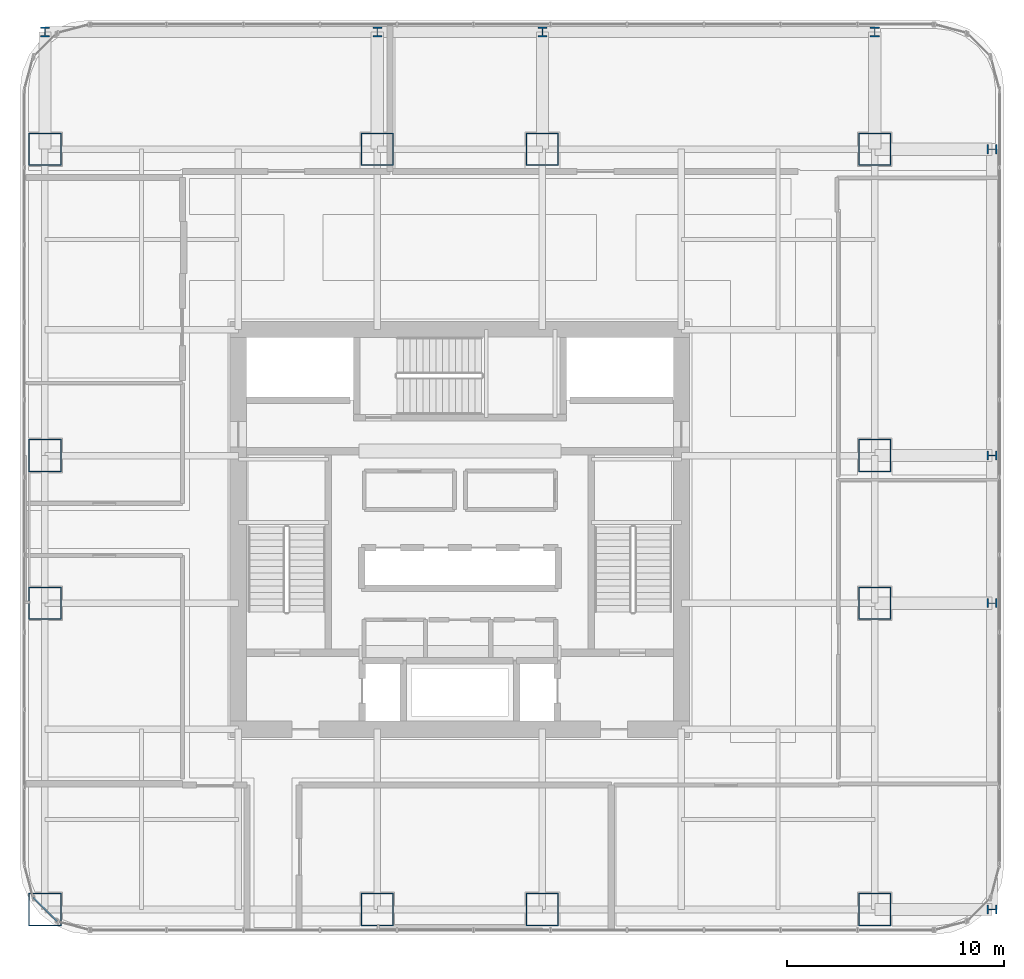
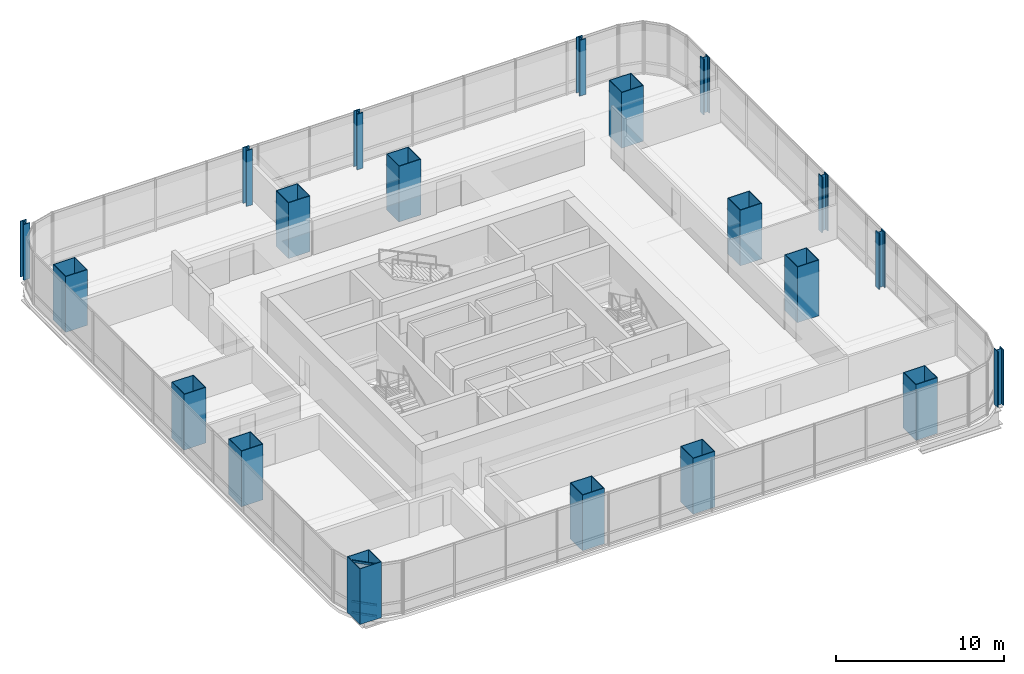
# One storey, part 1 of 34: 20 columns, 3 members, 1 element without a shape of its own.
"""IFC4 building model written with IfcOpenShell, lengths in metres."""

from ifc_helpers import new_model, si_unit, direction, frame, origin, origin_2d, place, context, subcontext, project, spatial, hollow_rectangle, i_section, extrude, material, material_profile, profile_set, type_object, element, aggregate, save


model = new_model("IFC4")

# Units and contexts
model_context = context("Model", 3, precision=1e-05, world=origin(), true_north=direction((0.0, 1.0)))
body_context = subcontext(model_context, "Body", "Model", "MODEL_VIEW")
ifc_project = project(units=[si_unit("LENGTHUNIT", "METRE"), si_unit("AREAUNIT", "SQUARE_METRE"), si_unit("VOLUMEUNIT", "CUBIC_METRE"), si_unit("PLANEANGLEUNIT", "RADIAN"), si_unit("MASSUNIT", "GRAM", prefix="KILO")], contexts=[model_context])

# Site, building, storey
site_placement = place(None, origin())
site = spatial("IfcSite", under=ifc_project, at=site_placement, CompositionType="ELEMENT")
building_placement = place(site_placement, origin())
building = spatial("IfcBuilding", under=site, at=building_placement, Name="Punatoya Terracotta Tower", CompositionType="ELEMENT")
storey_placement = place(building_placement, frame((0.0, 0.0, 105.14990234375)))
storey = spatial("IfcBuildingStorey", under=building, at=storey_placement, Name="L24", CompositionType="ELEMENT", Elevation=105.14990234375)

# Columns
ifc_material_1 = material(Name="Steel S460", Category="steel")
ifc_material_profile_1 = material_profile(ifc_material_1, i_section(OverallWidth=0.416015625, OverallDepth=0.446044921875, WebThickness=0.0390625, FlangeThickness=0.06201171875, FilletRadius=0.01806640625, at=origin_2d()))
ifc_profile_set_1 = profile_set([ifc_material_profile_1], Name="Steel S460")
column_type_1 = type_object("IfcColumnType", Name="COL-EX-M1", PredefinedType="COLUMN", material=ifc_profile_set_1)
for number, where, z_axis, x_axis, name in (
    (1, (-19.10009765625, 22.89990234375, 0.0), (0.0, 0.0, 1.0), (1.0, 0.0, 0.0), "L24 Exoskeleton Perimeter Column N1"),
    (2, (-3.800048828125, 22.89990234375, 0.0), (0.0, 0.0, 1.0), (1.0, 0.0, 0.0), "L24 Exoskeleton Perimeter Column N2"),
    (3, (3.800048828125, 22.89990234375, 0.0), (0.0, 0.0, 1.0), (1.0, 0.0, 0.0), "L24 Exoskeleton Perimeter Column N3"),
    (4, (19.10009765625, 22.89990234375, 0.0), (0.0, 0.0, 1.0), (1.0, 0.0, 0.0), "L24 Exoskeleton Perimeter Column N4"),
    (5, (24.5, -17.5, 0.0), (0.0, 0.0, 1.0), (0.0, 1.0, 0.0), "L24 Exoskeleton Perimeter Column E1"),
    (6, (24.5, -3.39990234375, 0.0), (0.0, 0.0, 1.0), (0.0, 1.0, 0.0), "L24 Exoskeleton Perimeter Column E2"),
    (7, (24.5, 3.39990234375, 0.0), (0.0, 0.0, 1.0), (0.0, 1.0, 0.0), "L24 Exoskeleton Perimeter Column E3"),
    (8, (24.5, 17.5, 0.0), (0.0, 0.0, 1.0), (0.0, 1.0, 0.0), "L24 Exoskeleton Perimeter Column E4"),
):
    element("IfcColumn", number, at=place(storey_placement, frame(where, z_axis=z_axis, x_axis=x_axis)), inside=storey, type_object=column_type_1, Name=name, PredefinedType="COLUMN", context=body_context, shape_type="SweptSolid", body=[
        extrude(i_section(OverallWidth=0.416015625, OverallDepth=0.446044921875, WebThickness=0.0390625, FlangeThickness=0.06201171875, FilletRadius=0.01806640625, at=origin_2d()), origin(), (0.0, 0.0, 1.0), 4.048095703125),
    ])
ifc_material_profile_2 = material_profile(ifc_material_1, hollow_rectangle(XDim=1.5, YDim=1.5, WallThickness=0.044921875, at=origin_2d()))
ifc_profile_set_2 = profile_set([ifc_material_profile_2], Name="Steel S460")
column_type_2 = type_object("IfcColumnType", Name="COL-MC-Z1", PredefinedType="COLUMN", material=ifc_profile_set_2)
for number, where, z_axis, x_axis, name in (
    (9, (-19.10009765625, -17.5, 0.0), (0.0, 0.0, 1.0), (1.0, 0.0, 0.0), "L24 Composite Mega-Column MC-01 (3-B)"),
    (10, (-3.800048828125, -17.5, 0.0), (0.0, 0.0, 1.0), (1.0, 0.0, 0.0), "L24 Composite Mega-Column MC-02 (5-B)"),
    (11, (3.800048828125, -17.5, 0.0), (0.0, 0.0, 1.0), (1.0, 0.0, 0.0), "L24 Composite Mega-Column MC-03 (7-B)"),
    (12, (19.10009765625, -17.5, 0.0), (0.0, 0.0, 1.0), (1.0, 0.0, 0.0), "L24 Composite Mega-Column MC-04 (9-B)"),
    (13, (19.10009765625, -3.39990234375, 0.0), (0.0, 0.0, 1.0), (1.0, 0.0, 0.0), "L24 Composite Mega-Column MC-05 (9-D)"),
    (14, (19.10009765625, 3.39990234375, 0.0), (0.0, 0.0, 1.0), (1.0, 0.0, 0.0), "L24 Composite Mega-Column MC-06 (9-E)"),
    (15, (19.10009765625, 17.5, 0.0), (0.0, 0.0, 1.0), (1.0, 0.0, 0.0), "L24 Composite Mega-Column MC-07 (9-G)"),
    (16, (3.800048828125, 17.5, 0.0), (0.0, 0.0, 1.0), (1.0, 0.0, 0.0), "L24 Composite Mega-Column MC-08 (7-G)"),
    (17, (-3.800048828125, 17.5, 0.0), (0.0, 0.0, 1.0), (1.0, 0.0, 0.0), "L24 Composite Mega-Column MC-09 (5-G)"),
    (18, (-19.10009765625, 17.5, 0.0), (0.0, 0.0, 1.0), (1.0, 0.0, 0.0), "L24 Composite Mega-Column MC-10 (3-G)"),
    (19, (-19.10009765625, 3.39990234375, 0.0), (0.0, 0.0, 1.0), (1.0, 0.0, 0.0), "L24 Composite Mega-Column MC-11 (3-E)"),
    (20, (-19.10009765625, -3.39990234375, 0.0), (0.0, 0.0, 1.0), (1.0, 0.0, 0.0), "L24 Composite Mega-Column MC-12 (3-D)"),
):
    element("IfcColumn", number, at=place(storey_placement, frame(where, z_axis=z_axis, x_axis=x_axis)), inside=storey, type_object=column_type_2, Name=name, PredefinedType="COLUMN", context=body_context, shape_type="SweptSolid", body=[
        extrude(hollow_rectangle(XDim=1.5, YDim=1.5, WallThickness=0.044921875, at=origin_2d()), origin(), (0.0, 0.0, 1.0), 4.050048828125),
    ])

# Curtain wall, members
ifc_material_2 = material(Name="Aluminium 6063-T6 + Double Low-E Glass", Category="aluminium")
curtain_wall_type = type_object("IfcCurtainWallType", Name="CW-M1", PredefinedType="NOTDEFINED", material=ifc_material_2)
curtain_wall_placement = place(storey_placement, origin())
curtain_wall = element("IfcCurtainWall", 21, at=curtain_wall_placement, inside=storey, type_object=curtain_wall_type, Name="L24 Curtain Wall CW-L24-CRN15", PredefinedType="NOTDEFINED")
ifc_material_3 = material(Name="Aluminium 6063-T6", Category="aluminium")
ifc_material_profile_3 = material_profile(ifc_material_3, hollow_rectangle(XDim=0.068115234375, YDim=0.14990234375, WallThickness=0.00390625, at=origin_2d()))
ifc_profile_set_3 = profile_set([ifc_material_profile_3], Name="Aluminium 6063-T6")
member_type = type_object("IfcMemberType", Name="CW-TRN-TYP", PredefinedType="USERDEFINED", material=ifc_profile_set_3)
member_1_placement = place(storey_placement, frame((-19.646484375, -16.94921875, 0.0400390625), z_axis=(0.707106781187, -0.707106781187, 0.0), x_axis=(0.707106781187, 0.707106781187, 0.0)))
member_1 = element("IfcMember", 22, at=member_1_placement, type_object=member_type, Name="CW-L24-CRN15 Transom 1", ObjectType="TRANSOM", PredefinedType="USERDEFINED", context=body_context, shape_type="SweptSolid", body=[
    extrude(hollow_rectangle(XDim=0.068115234375, YDim=0.14990234375, WallThickness=0.00390625, at=origin_2d()), origin(), (0.0, 0.0, 1.0), 1.552001953125),
])
member_2_placement = place(storey_placement, frame((-19.646484375, -16.94921875, 0.85009765625), z_axis=(0.707106781187, -0.707106781187, 0.0), x_axis=(0.707106781187, 0.707106781187, 0.0)))
member_2 = element("IfcMember", 23, at=member_2_placement, type_object=member_type, Name="CW-L24-CRN15 Transom 2", ObjectType="TRANSOM", PredefinedType="USERDEFINED", context=body_context, shape_type="SweptSolid", body=[
    extrude(hollow_rectangle(XDim=0.068115234375, YDim=0.14990234375, WallThickness=0.00390625, at=origin_2d()), origin(), (0.0, 0.0, 1.0), 1.552001953125),
])
member_3_placement = place(storey_placement, frame((-19.646484375, -16.94921875, 3.77001953125), z_axis=(0.707106781187, -0.707106781187, 0.0), x_axis=(0.707106781187, 0.707106781187, 0.0)))
member_3 = element("IfcMember", 24, at=member_3_placement, type_object=member_type, Name="CW-L24-CRN15 Transom 3", ObjectType="TRANSOM", PredefinedType="USERDEFINED", context=body_context, shape_type="SweptSolid", body=[
    extrude(hollow_rectangle(XDim=0.068115234375, YDim=0.14990234375, WallThickness=0.00390625, at=origin_2d()), origin(), (0.0, 0.0, 1.0), 1.552001953125),
])
aggregate(curtain_wall, [member_1, member_2, member_3])

save(model, "model.ifc")
